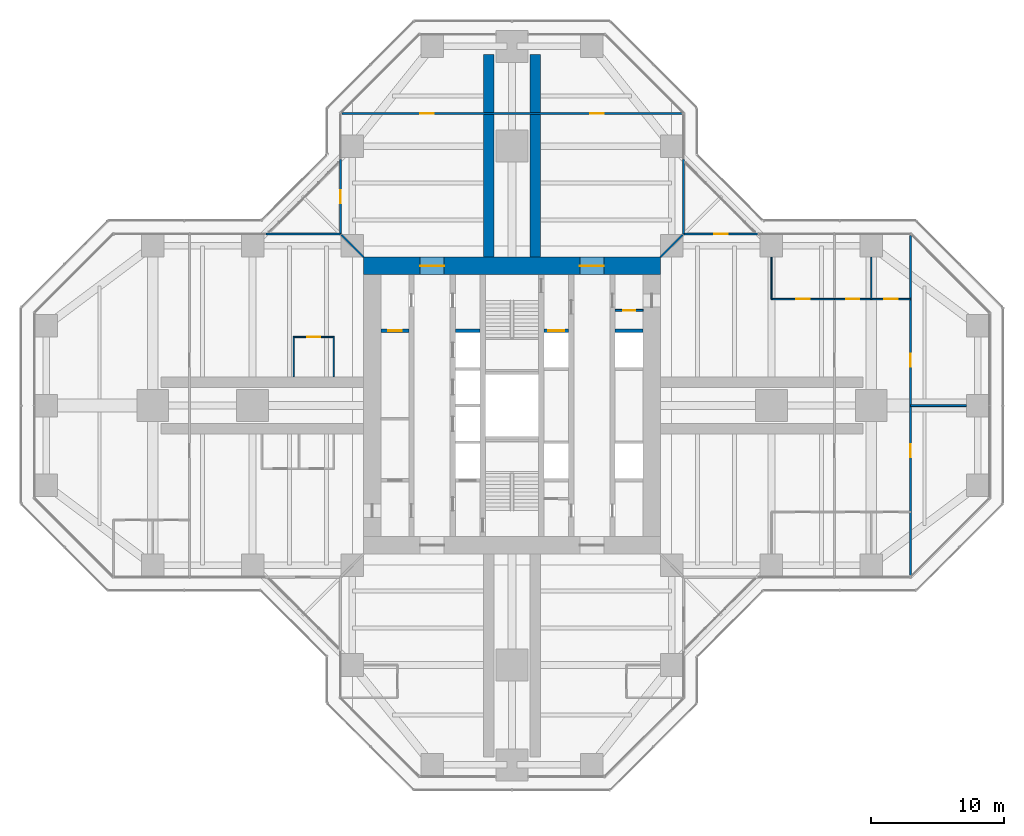
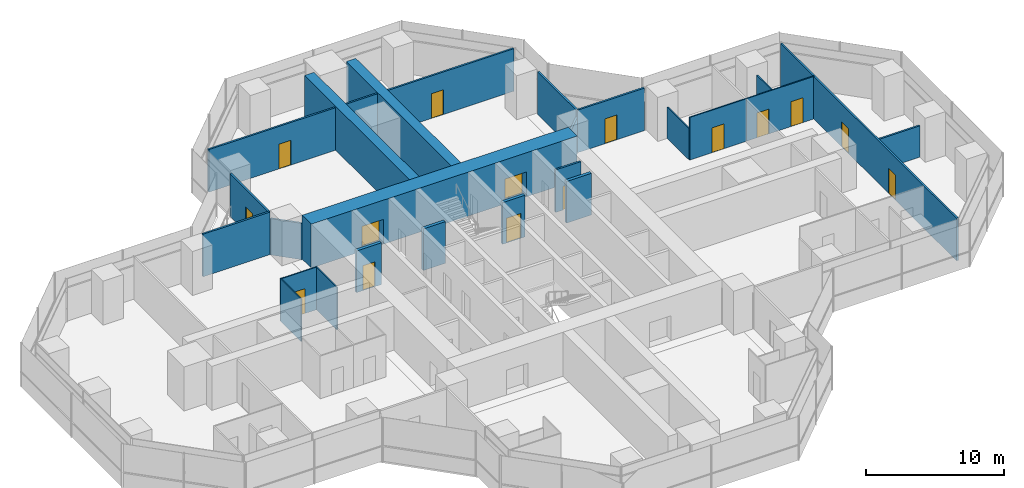
# One storey, part 17 of 20: 24 walls, 15 doors, 15 openings.
"""IFC4 building model written with IfcOpenShell, lengths in metres."""

from ifc_helpers import new_model, si_unit, direction, frame, frame_2d, origin, place, context, subcontext, project, spatial, rectangle, extrude, material, layer, layer_set, type_object, element, fill, save


model = new_model("IFC4")

# Units and contexts
model_context = context("Model", 3, precision=1e-05, world=origin(), true_north=direction((0.0, 1.0)))
body_context = subcontext(model_context, "Body", "Model", "MODEL_VIEW")
ifc_project = project(units=[si_unit("LENGTHUNIT", "METRE"), si_unit("AREAUNIT", "SQUARE_METRE"), si_unit("VOLUMEUNIT", "CUBIC_METRE"), si_unit("PLANEANGLEUNIT", "RADIAN"), si_unit("MASSUNIT", "GRAM", prefix="KILO")], contexts=[model_context])

# Site, building, storey
site_placement = place(None, origin())
site = spatial("IfcSite", under=ifc_project, at=site_placement, CompositionType="ELEMENT")
building_placement = place(site_placement, origin())
building = spatial("IfcBuilding", under=site, at=building_placement, Name="Mizan Broadcast Tower", CompositionType="ELEMENT")
storey_placement = place(building_placement, frame((0.0, 0.0, 135.89990234375)))
storey = spatial("IfcBuildingStorey", under=building, at=storey_placement, Name="L30", CompositionType="ELEMENT", Elevation=135.89990234375)

# Wall, opening, door
ifc_material_1 = material(Name="Concrete blockwork", Category="masonry")
ifc_layer_1 = layer(ifc_material_1, 0.14990234375)
ifc_layer_set_1 = layer_set([ifc_layer_1], Name="Concrete blockwork")
wall_type_1 = type_object("IfcWallType", Name="CORE PARTITION 150", PredefinedType="SOLIDWALL", material=ifc_layer_set_1)
wall_1_placement = place(storey_placement, frame((9.85009765625, 7.14990234375, 0.0), z_axis=(0.0, 0.0, 1.0), x_axis=(-1.0, 0.0, 0.0)))
wall_1 = element("IfcWall", 1, at=wall_1_placement, inside=storey, type_object=wall_type_1, Name="Core partition CORE/XPE", PredefinedType="SOLIDWALL", context=body_context, shape_type="SweptSolid", body=[
    extrude(rectangle(XDim=2.10009765625, YDim=0.14990234375, at=frame_2d((1.050048828125, 0.0))), origin(), (0.0, 0.0, 1.0), 3.77001953125),
])
opening_1_placement = place(wall_1_placement, frame((0.60009765625, 0.0, 0.0)))
opening_1 = element("IfcOpeningElement", 2, at=opening_1_placement, cuts=wall_1, Name="Opening D09F", PredefinedType="OPENING", context=body_context, shape_type="SweptSolid", body=[
    extrude(rectangle(XDim=0.89990234375, YDim=2.10009765625, at=frame_2d((0.449951171875, 1.050048828125))), frame((0.0, 0.0849609375, 0.0), z_axis=(0.0, -1.0, 0.0), x_axis=(1.0, 0.0, 0.0)), (0.0, 0.0, 1.0), 0.169921875),
])
ifc_material_2 = material(Name="Steel door leaf in steel frame", Category="steel")
door_type_1 = type_object("IfcDoorType", Name="CORE ROOM DOOR 900 FD90", OperationType="SINGLE_SWING_LEFT", PredefinedType="DOOR", material=ifc_material_2)
door_1_placement = place(opening_1_placement, origin())
door_1 = element("IfcDoor", 3, at=door_1_placement, inside=storey, type_object=door_type_1, Name="Electrical cupboard door", OperationType="SINGLE_SWING_RIGHT", OverallHeight=2.10009765625, OverallWidth=0.89990234375, PredefinedType="DOOR", context=body_context, shape_type="SweptSolid", body=[
    extrude(rectangle(XDim=0.89990234375, YDim=2.10009765625, at=frame_2d((0.449951171875, 1.050048828125))), frame((0.0, 0.02490234375, 0.0), z_axis=(0.0, -1.0, 0.0), x_axis=(1.0, 0.0, 0.0)), (0.0, 0.0, 1.0), 0.050048828125),
])
fill(opening_1, door_1)

# Wall, openings, doors
ifc_material_3 = material(Name="Concrete C70/85", Category="concrete")
ifc_layer_2 = layer(ifc_material_3, 1.300048828125)
ifc_layer_set_2 = layer_set([ifc_layer_2], Name="Concrete C70/85")
wall_type_2 = type_object("IfcWallType", Name="CORE WALL 1300", PredefinedType="SHEAR", material=ifc_layer_set_2)
wall_2_placement = place(storey_placement, frame((-11.14990234375, 10.5, 0.0), z_axis=(0.0, 0.0, 1.0), x_axis=(1.0, 0.0, 0.0)))
wall_2 = element("IfcWall", 4, at=wall_2_placement, inside=storey, type_object=wall_type_2, Name="Core wall N L30", PredefinedType="SHEAR", context=body_context, shape_type="SweptSolid", body=[
    extrude(rectangle(XDim=22.2998046875, YDim=1.300048828125, at=frame_2d((11.14990234375, 0.0))), origin(), (0.0, 0.0, 1.0), 3.900146484375),
])
opening_2_placement = place(wall_2_placement, frame((4.25, 0.0, 0.0)))
opening_2 = element("IfcOpeningElement", 5, at=opening_2_placement, cuts=wall_2, Name="Opening D18F", PredefinedType="OPENING", context=body_context, shape_type="SweptSolid", body=[
    extrude(rectangle(XDim=1.800048828125, YDim=2.199951171875, at=frame_2d((0.89990234375, 1.10009765625))), frame((0.0, 0.659912109375, 0.0), z_axis=(0.0, -1.0, 0.0), x_axis=(1.0, 0.0, 0.0)), (0.0, 0.0, 1.0), 1.320068359375),
])
opening_3_placement = place(wall_2_placement, frame((16.25, 0.0, 0.0)))
opening_3 = element("IfcOpeningElement", 6, at=opening_3_placement, cuts=wall_2, Name="Opening D18F", PredefinedType="OPENING", context=body_context, shape_type="SweptSolid", body=[
    extrude(rectangle(XDim=1.800048828125, YDim=2.199951171875, at=frame_2d((0.89990234375, 1.10009765625))), frame((0.0, 0.659912109375, 0.0), z_axis=(0.0, -1.0, 0.0), x_axis=(1.0, 0.0, 0.0)), (0.0, 0.0, 1.0), 1.320068359375),
])
ifc_material_4 = material(Name="Steel door leaf in steel frame", Category="steel")
door_type_2 = type_object("IfcDoorType", Name="LOBBY DOUBLE DOOR 1800 FD90", OperationType="DOUBLE_DOOR_DOUBLE_SWING", PredefinedType="DOOR", material=ifc_material_4)
door_2_placement = place(opening_2_placement, origin())
door_2 = element("IfcDoor", 7, at=door_2_placement, inside=storey, type_object=door_type_2, Name="West lift lobby north door", OperationType="DOUBLE_DOOR_DOUBLE_SWING", OverallHeight=2.199951171875, OverallWidth=1.800048828125, PredefinedType="DOOR", context=body_context, shape_type="SweptSolid", body=[
    extrude(rectangle(XDim=1.800048828125, YDim=2.199951171875, at=frame_2d((0.89990234375, 1.10009765625))), frame((0.0, 0.02490234375, 0.0), z_axis=(0.0, -1.0, 0.0), x_axis=(1.0, 0.0, 0.0)), (0.0, 0.0, 1.0), 0.050048828125),
])
fill(opening_2, door_2)
door_3_placement = place(opening_3_placement, origin())
door_3 = element("IfcDoor", 8, at=door_3_placement, inside=storey, type_object=door_type_2, Name="East lift lobby north door", OperationType="DOUBLE_DOOR_DOUBLE_SWING", OverallHeight=2.199951171875, OverallWidth=1.800048828125, PredefinedType="DOOR", context=body_context, shape_type="SweptSolid", body=[
    extrude(rectangle(XDim=1.800048828125, YDim=2.199951171875, at=frame_2d((0.89990234375, 1.10009765625))), frame((0.0, 0.02490234375, 0.0), z_axis=(0.0, -1.0, 0.0), x_axis=(1.0, 0.0, 0.0)), (0.0, 0.0, 1.0), 0.050048828125),
])
fill(opening_3, door_3)

# Wall, opening, door
ifc_material_5 = material(Name="Aluminium framed glazed screen", Category="aluminium")
ifc_layer_3 = layer(ifc_material_5, 0.159912109375)
ifc_layer_set_3 = layer_set([ifc_layer_3], Name="Aluminium framed glazed screen")
wall_type_3 = type_object("IfcWallType", Name="GLAZED SCREEN WALL 160", PredefinedType="SOLIDWALL", material=ifc_layer_set_3)
wall_3_placement = place(storey_placement, frame((18.5, 12.89990234375, 0.0), z_axis=(0.0, 0.0, 1.0), x_axis=(-1.0, 0.0, 0.0)))
wall_3 = element("IfcWall", 9, at=wall_3_placement, inside=storey, type_object=wall_type_3, Name="Winter garden screen L30 E", PredefinedType="SOLIDWALL", context=body_context, shape_type="SweptSolid", body=[
    extrude(rectangle(XDim=5.60009765625, YDim=0.159912109375, at=frame_2d((2.800048828125, 0.0))), origin(), (0.0, 0.0, 1.0), 3.77001953125),
])
opening_4_placement = place(wall_3_placement, frame((2.300048828125, 0.0, 0.0)))
opening_4 = element("IfcOpeningElement", 10, at=opening_4_placement, cuts=wall_3, Name="Opening WGD", PredefinedType="OPENING", context=body_context, shape_type="SweptSolid", body=[
    extrude(rectangle(XDim=1.0, YDim=2.199951171875, at=frame_2d((0.5, 1.10009765625))), frame((0.0, 0.08984375, 0.0), z_axis=(0.0, -1.0, 0.0), x_axis=(1.0, 0.0, 0.0)), (0.0, 0.0, 1.0), 0.179931640625),
])
ifc_material_6 = material(Name="Aluminium framed glazed door", Category="aluminium")
door_type_3 = type_object("IfcDoorType", Name="WINTER GARDEN DOOR 1000 GLAZED", OperationType="SINGLE_SWING_LEFT", PredefinedType="DOOR", material=ifc_material_6)
door_4_placement = place(opening_4_placement, origin())
door_4 = element("IfcDoor", 11, at=door_4_placement, inside=storey, type_object=door_type_3, Name="Winter garden door L30 E", OperationType="SINGLE_SWING_RIGHT", OverallHeight=2.199951171875, OverallWidth=1.0, PredefinedType="DOOR", context=body_context, shape_type="SweptSolid", body=[
    extrude(rectangle(XDim=1.0, YDim=2.199951171875, at=frame_2d((0.5, 1.10009765625))), frame((0.0, 0.02490234375, 0.0), z_axis=(0.0, -1.0, 0.0), x_axis=(1.0, 0.0, 0.0)), (0.0, 0.0, 1.0), 0.050048828125),
])
fill(opening_4, door_4)

# Wall
wall_4_placement = place(storey_placement, frame((12.89990234375, 12.89990234375, 0.0), z_axis=(0.0, 0.0, 1.0), x_axis=(0.0, 1.0, 0.0)))
element("IfcWall", 12, at=wall_4_placement, inside=storey, type_object=wall_type_3, Name="Winter garden screen L30 N", PredefinedType="SOLIDWALL", context=body_context, shape_type="SweptSolid", body=[
    extrude(rectangle(XDim=5.60009765625, YDim=0.159912109375, at=frame_2d((2.800048828125, 0.0))), origin(), (0.0, 0.0, 1.0), 3.77001953125),
])

# Wall, opening, door
wall_5_placement = place(storey_placement, frame((-12.89990234375, 18.5, 0.0), z_axis=(0.0, 0.0, 1.0), x_axis=(0.0, -1.0, 0.0)))
wall_5 = element("IfcWall", 13, at=wall_5_placement, inside=storey, type_object=wall_type_3, Name="Winter garden screen L30 N", PredefinedType="SOLIDWALL", context=body_context, shape_type="SweptSolid", body=[
    extrude(rectangle(XDim=5.60009765625, YDim=0.159912109375, at=frame_2d((2.800048828125, 0.0))), origin(), (0.0, 0.0, 1.0), 3.77001953125),
])
opening_5_placement = place(wall_5_placement, frame((2.300048828125, 0.0, 0.0)))
opening_5 = element("IfcOpeningElement", 14, at=opening_5_placement, cuts=wall_5, Name="Opening WGD", PredefinedType="OPENING", context=body_context, shape_type="SweptSolid", body=[
    extrude(rectangle(XDim=1.0, YDim=2.199951171875, at=frame_2d((0.5, 1.10009765625))), frame((0.0, 0.08984375, 0.0), z_axis=(0.0, -1.0, 0.0), x_axis=(1.0, 0.0, 0.0)), (0.0, 0.0, 1.0), 0.179931640625),
])
door_5_placement = place(opening_5_placement, origin())
door_5 = element("IfcDoor", 15, at=door_5_placement, inside=storey, type_object=door_type_3, Name="Winter garden door L30 N", OperationType="SINGLE_SWING_RIGHT", OverallHeight=2.199951171875, OverallWidth=1.0, PredefinedType="DOOR", context=body_context, shape_type="SweptSolid", body=[
    extrude(rectangle(XDim=1.0, YDim=2.199951171875, at=frame_2d((0.5, 1.10009765625))), frame((0.0, 0.02490234375, 0.0), z_axis=(0.0, -1.0, 0.0), x_axis=(1.0, 0.0, 0.0)), (0.0, 0.0, 1.0), 0.050048828125),
])
fill(opening_5, door_5)

# Wall
wall_6_placement = place(storey_placement, frame((-12.89990234375, 12.89990234375, 0.0), z_axis=(0.0, 0.0, 1.0), x_axis=(-1.0, 0.0, 0.0)))
element("IfcWall", 16, at=wall_6_placement, inside=storey, type_object=wall_type_3, Name="Winter garden screen L30 W", PredefinedType="SOLIDWALL", context=body_context, shape_type="SweptSolid", body=[
    extrude(rectangle(XDim=5.60009765625, YDim=0.159912109375, at=frame_2d((2.800048828125, 0.0))), origin(), (0.0, 0.0, 1.0), 3.77001953125),
])

# Wall, opening, door
ifc_material_7 = material(Name="Concrete blockwork", Category="masonry")
ifc_layer_4 = layer(ifc_material_7, 0.25)
ifc_layer_set_4 = layer_set([ifc_layer_4], Name="Concrete blockwork")
wall_type_4 = type_object("IfcWallType", Name="LOBBY ENCLOSURE WALL 250", PredefinedType="SOLIDWALL", material=ifc_layer_set_4)
wall_7_placement = place(storey_placement, frame((-9.85009765625, 5.625, 0.0), z_axis=(0.0, 0.0, 1.0), x_axis=(1.0, 0.0, 0.0)))
wall_7 = element("IfcWall", 17, at=wall_7_placement, inside=storey, type_object=wall_type_4, Name="Lobby enclosure wall CORE/BW1N", PredefinedType="SOLIDWALL", context=body_context, shape_type="SweptSolid", body=[
    extrude(rectangle(XDim=2.10009765625, YDim=0.25, at=frame_2d((1.050048828125, 0.0))), origin(), (0.0, 0.0, 1.0), 3.7001953125),
])
opening_6_placement = place(wall_7_placement, frame((0.550048828125, 0.0, 0.0)))
opening_6 = element("IfcOpeningElement", 18, at=opening_6_placement, cuts=wall_7, Name="Opening D10F", PredefinedType="OPENING", context=body_context, shape_type="SweptSolid", body=[
    extrude(rectangle(XDim=1.0, YDim=2.199951171875, at=frame_2d((0.5, 1.10009765625))), frame((0.0, 0.135009765625, 0.0), z_axis=(0.0, -1.0, 0.0), x_axis=(1.0, 0.0, 0.0)), (0.0, 0.0, 1.0), 0.27001953125),
])
ifc_material_8 = material(Name="Steel door leaf in steel frame", Category="steel")
door_type_4 = type_object("IfcDoorType", Name="FIRE DOOR 1000 FD90", OperationType="SINGLE_SWING_LEFT", PredefinedType="DOOR", material=ifc_material_8)
door_6_placement = place(opening_6_placement, origin())
door_6 = element("IfcDoor", 19, at=door_6_placement, inside=storey, type_object=door_type_4, Name="Staff changing room door", OperationType="SINGLE_SWING_RIGHT", OverallHeight=2.199951171875, OverallWidth=1.0, PredefinedType="DOOR", context=body_context, shape_type="SweptSolid", body=[
    extrude(rectangle(XDim=1.0, YDim=2.199951171875, at=frame_2d((0.5, 1.10009765625))), frame((0.0, 0.02490234375, 0.0), z_axis=(0.0, -1.0, 0.0), x_axis=(1.0, 0.0, 0.0)), (0.0, 0.0, 1.0), 0.050048828125),
])
fill(opening_6, door_6)

# Wall
wall_8_placement = place(storey_placement, frame((-4.25, 5.625, 0.0), z_axis=(0.0, 0.0, 1.0), x_axis=(1.0, 0.0, 0.0)))
element("IfcWall", 20, at=wall_8_placement, inside=storey, type_object=wall_type_4, Name="Lobby enclosure wall CORE/BW2N", PredefinedType="SOLIDWALL", context=body_context, shape_type="SweptSolid", body=[
    extrude(rectangle(XDim=1.85009765625, YDim=0.25, at=frame_2d((0.925048828125, 0.0))), origin(), (0.0, 0.0, 1.0), 3.7001953125),
])

# Wall, opening, door
wall_9_placement = place(storey_placement, frame((2.39990234375, 5.625, 0.0), z_axis=(0.0, 0.0, 1.0), x_axis=(1.0, 0.0, 0.0)))
wall_9 = element("IfcWall", 21, at=wall_9_placement, inside=storey, type_object=wall_type_4, Name="Lobby enclosure wall CORE/BE2N", PredefinedType="SOLIDWALL", context=body_context, shape_type="SweptSolid", body=[
    extrude(rectangle(XDim=1.85009765625, YDim=0.25, at=frame_2d((0.925048828125, 0.0))), origin(), (0.0, 0.0, 1.0), 3.7001953125),
])
opening_7_placement = place(wall_9_placement, frame((0.324951171875, 0.0, 0.0)))
opening_7 = element("IfcOpeningElement", 22, at=opening_7_placement, cuts=wall_9, Name="Opening LDF", PredefinedType="OPENING", context=body_context, shape_type="SweptSolid", body=[
    extrude(rectangle(XDim=1.199951171875, YDim=2.199951171875, at=frame_2d((0.60009765625, 1.10009765625))), frame((0.0, 0.135009765625, 0.0), z_axis=(0.0, -1.0, 0.0), x_axis=(1.0, 0.0, 0.0)), (0.0, 0.0, 1.0), 0.27001953125),
])
ifc_material_9 = material(Name="Steel door leaf in steel frame", Category="steel")
door_type_5 = type_object("IfcDoorType", Name="FIREFIGHTING LIFT LANDING DOOR 1200", OperationType="SLIDING_TO_LEFT", PredefinedType="DOOR", material=ifc_material_9)
door_7_placement = place(opening_7_placement, origin())
door_7 = element("IfcDoor", 23, at=door_7_placement, inside=storey, type_object=door_type_5, Name="Landing door FF2", OperationType="SLIDING_TO_LEFT", OverallHeight=2.199951171875, OverallWidth=1.199951171875, PredefinedType="DOOR", context=body_context, shape_type="SweptSolid", body=[
    extrude(rectangle(XDim=1.199951171875, YDim=2.199951171875, at=frame_2d((0.60009765625, 1.10009765625))), frame((0.0, 0.02490234375, 0.0), z_axis=(0.0, -1.0, 0.0), x_axis=(1.0, 0.0, 0.0)), (0.0, 0.0, 1.0), 0.050048828125),
])
fill(opening_7, door_7)

# Wall
wall_10_placement = place(storey_placement, frame((7.75, 5.625, 0.0), z_axis=(0.0, 0.0, 1.0), x_axis=(1.0, 0.0, 0.0)))
element("IfcWall", 24, at=wall_10_placement, inside=storey, type_object=wall_type_4, Name="Lobby enclosure wall CORE/BE1N", PredefinedType="SOLIDWALL", context=body_context, shape_type="SweptSolid", body=[
    extrude(rectangle(XDim=2.10009765625, YDim=0.25, at=frame_2d((1.050048828125, 0.0))), origin(), (0.0, 0.0, 1.0), 3.7001953125),
])

# Wall, openings, doors
ifc_material_10 = material(Name="Gypsum board on steel studs", Category="steel")
ifc_layer_5 = layer(ifc_material_10, 0.14990234375)
ifc_layer_set_5 = layer_set([ifc_layer_5], Name="Gypsum board on steel studs")
wall_type_5 = type_object("IfcWallType", Name="PARTITION 150", PredefinedType="PARTITIONING", material=ifc_layer_set_5)
wall_11_placement = place(storey_placement, frame((29.958984375, -12.786376953125, 0.0), z_axis=(0.0, 0.0, 1.0), x_axis=(0.0, 1.0, 0.0)))
wall_11 = element("IfcWall", 25, at=wall_11_placement, inside=storey, type_object=wall_type_5, Name="Partition PT/EX2", PredefinedType="PARTITIONING", context=body_context, shape_type="SweptSolid", body=[
    extrude(rectangle(XDim=25.57275390625, YDim=0.14990234375, at=frame_2d((12.786376953125, 0.0))), origin(), (0.0, 0.0, 1.0), 3.77001953125),
])
opening_8_placement = place(wall_11_placement, frame((15.6865234375, 0.0, 0.0)))
opening_8 = element("IfcOpeningElement", 26, at=opening_8_placement, cuts=wall_11, Name="Opening D10", PredefinedType="OPENING", context=body_context, shape_type="SweptSolid", body=[
    extrude(rectangle(XDim=1.0, YDim=2.199951171875, at=frame_2d((0.5, 1.10009765625))), frame((0.0, 0.0849609375, 0.0), z_axis=(0.0, -1.0, 0.0), x_axis=(1.0, 0.0, 0.0)), (0.0, 0.0, 1.0), 0.169921875),
])
opening_9_placement = place(wall_11_placement, frame((8.886474609375, 0.0, 0.0)))
opening_9 = element("IfcOpeningElement", 27, at=opening_9_placement, cuts=wall_11, Name="Opening D10", PredefinedType="OPENING", context=body_context, shape_type="SweptSolid", body=[
    extrude(rectangle(XDim=1.0, YDim=2.199951171875, at=frame_2d((0.5, 1.10009765625))), frame((0.0, 0.0849609375, 0.0), z_axis=(0.0, -1.0, 0.0), x_axis=(1.0, 0.0, 0.0)), (0.0, 0.0, 1.0), 0.169921875),
])
ifc_material_11 = material(Name="Timber door leaf in aluminium frame", Category="wood")
door_type_6 = type_object("IfcDoorType", Name="ROOM DOOR 1000", OperationType="SINGLE_SWING_LEFT", PredefinedType="DOOR", material=ifc_material_11)
door_8_placement = place(opening_8_placement, origin())
door_8 = element("IfcDoor", 28, at=door_8_placement, inside=storey, type_object=door_type_6, Name="Open office door", OperationType="SINGLE_SWING_RIGHT", OverallHeight=2.199951171875, OverallWidth=1.0, PredefinedType="DOOR", context=body_context, shape_type="SweptSolid", body=[
    extrude(rectangle(XDim=1.0, YDim=2.199951171875, at=frame_2d((0.5, 1.10009765625))), frame((0.0, 0.02490234375, 0.0), z_axis=(0.0, -1.0, 0.0), x_axis=(1.0, 0.0, 0.0)), (0.0, 0.0, 1.0), 0.050048828125),
])
fill(opening_8, door_8)
door_9_placement = place(opening_9_placement, origin())
door_9 = element("IfcDoor", 29, at=door_9_placement, inside=storey, type_object=door_type_6, Name="Open office door", OperationType="SINGLE_SWING_LEFT", OverallHeight=2.199951171875, OverallWidth=1.0, PredefinedType="DOOR", context=body_context, shape_type="SweptSolid", body=[
    extrude(rectangle(XDim=1.0, YDim=2.199951171875, at=frame_2d((0.5, 1.10009765625))), frame((0.0, 0.02490234375, 0.0), z_axis=(0.0, -1.0, 0.0), x_axis=(1.0, 0.0, 0.0)), (0.0, 0.0, 1.0), 0.050048828125),
])
fill(opening_9, door_9)

# Wall
wall_12_placement = place(storey_placement, frame((29.958984375, 0.0, 0.0), z_axis=(0.0, 0.0, 1.0), x_axis=(1.0, 0.0, 0.0)))
element("IfcWall", 30, at=wall_12_placement, inside=storey, type_object=wall_type_5, Name="Partition PT/EES", PredefinedType="PARTITIONING", context=body_context, shape_type="SweptSolid", body=[
    extrude(rectangle(XDim=4.19091796875, YDim=0.14990234375, at=frame_2d((2.095458984375, 0.0))), origin(), (0.0, 0.0, 1.0), 2.77001953125),
])

# Wall, openings, doors
wall_13_placement = place(storey_placement, frame((12.786376953125, 21.958984375, 0.0), z_axis=(0.0, 0.0, 1.0), x_axis=(-1.0, 0.0, 0.0)))
wall_13 = element("IfcWall", 31, at=wall_13_placement, inside=storey, type_object=wall_type_5, Name="Partition PT/NX1", PredefinedType="PARTITIONING", context=body_context, shape_type="SweptSolid", body=[
    extrude(rectangle(XDim=25.57275390625, YDim=0.14990234375, at=frame_2d((12.786376953125, 0.0))), origin(), (0.0, 0.0, 1.0), 3.77001953125),
])
opening_10_placement = place(wall_13_placement, frame((18.6865234375, 0.0, 0.0)))
opening_10 = element("IfcOpeningElement", 32, at=opening_10_placement, cuts=wall_13, Name="Opening D10", PredefinedType="OPENING", context=body_context, shape_type="SweptSolid", body=[
    extrude(rectangle(XDim=1.0, YDim=2.199951171875, at=frame_2d((0.5, 1.10009765625))), frame((0.0, 0.0849609375, 0.0), z_axis=(0.0, -1.0, 0.0), x_axis=(1.0, 0.0, 0.0)), (0.0, 0.0, 1.0), 0.169921875),
])
opening_11_placement = place(wall_13_placement, frame((5.886474609375, 0.0, 0.0)))
opening_11 = element("IfcOpeningElement", 33, at=opening_11_placement, cuts=wall_13, Name="Opening D10", PredefinedType="OPENING", context=body_context, shape_type="SweptSolid", body=[
    extrude(rectangle(XDim=1.0, YDim=2.199951171875, at=frame_2d((0.5, 1.10009765625))), frame((0.0, 0.0849609375, 0.0), z_axis=(0.0, -1.0, 0.0), x_axis=(1.0, 0.0, 0.0)), (0.0, 0.0, 1.0), 0.169921875),
])
door_10_placement = place(opening_10_placement, origin())
door_10 = element("IfcDoor", 34, at=door_10_placement, inside=storey, type_object=door_type_6, Name="Meeting room door", OperationType="SINGLE_SWING_RIGHT", OverallHeight=2.199951171875, OverallWidth=1.0, PredefinedType="DOOR", context=body_context, shape_type="SweptSolid", body=[
    extrude(rectangle(XDim=1.0, YDim=2.199951171875, at=frame_2d((0.5, 1.10009765625))), frame((0.0, 0.02490234375, 0.0), z_axis=(0.0, -1.0, 0.0), x_axis=(1.0, 0.0, 0.0)), (0.0, 0.0, 1.0), 0.050048828125),
])
fill(opening_10, door_10)
door_11_placement = place(opening_11_placement, origin())
door_11 = element("IfcDoor", 35, at=door_11_placement, inside=storey, type_object=door_type_6, Name="Meeting room door", OperationType="SINGLE_SWING_LEFT", OverallHeight=2.199951171875, OverallWidth=1.0, PredefinedType="DOOR", context=body_context, shape_type="SweptSolid", body=[
    extrude(rectangle(XDim=1.0, YDim=2.199951171875, at=frame_2d((0.5, 1.10009765625))), frame((0.0, 0.02490234375, 0.0), z_axis=(0.0, -1.0, 0.0), x_axis=(1.0, 0.0, 0.0)), (0.0, 0.0, 1.0), 0.050048828125),
])
fill(opening_11, door_11)

# Walls
for number, where, z_axis, x_axis, name in (
    (36, (11.14990234375, 11.14990234375, 0.0), (0.0, 0.0, 1.0), (0.707106781187, 0.707106781187, 0.0), "Partition PT/DGEN"),
    (37, (-11.14990234375, 11.14990234375, 0.0), (0.0, 0.0, 1.0), (-0.707106781187, 0.707106781187, 0.0), "Partition PT/DGWN"),
):
    element("IfcWall", number, at=place(storey_placement, frame(where, z_axis=z_axis, x_axis=x_axis)), inside=storey, type_object=wall_type_5, Name=name, PredefinedType="PARTITIONING", context=body_context, shape_type="SweptSolid", body=[
        extrude(rectangle(XDim=2.362060546875, YDim=0.14990234375, at=frame_2d((1.18115234375, 0.0))), origin(), (0.0, 0.0, 1.0), 3.22021484375),
    ])

# Wall, opening, door
ifc_material_12 = material(Name="Glazed aluminium partition on aluminium track", Category="aluminium")
ifc_layer_6 = layer(ifc_material_12, 0.10009765625)
ifc_layer_set_6 = layer_set([ifc_layer_6], Name="Glazed aluminium partition on aluminium track")
wall_type_6 = type_object("IfcWallType", Name="PARTITION GLAZED OFFICE FRONT 100", PredefinedType="PARTITIONING", material=ifc_layer_set_6)
wall_14_placement = place(storey_placement, frame((19.5, 8.0, 0.0), z_axis=(0.0, 0.0, 1.0), x_axis=(1.0, 0.0, 0.0)))
wall_14 = element("IfcWall", 38, at=wall_14_placement, inside=storey, type_object=wall_type_6, Name="Glazed office front PT/ECP0", PredefinedType="PARTITIONING", context=body_context, shape_type="SweptSolid", body=[
    extrude(rectangle(XDim=4.72900390625, YDim=0.10009765625, at=frame_2d((2.364501953125, 0.0))), origin(), (0.0, 0.0, 1.0), 3.77001953125),
])
opening_12_placement = place(wall_14_placement, frame((1.864501953125, 0.0, 0.0)))
opening_12 = element("IfcOpeningElement", 39, at=opening_12_placement, cuts=wall_14, Name="Opening D10O", PredefinedType="OPENING", context=body_context, shape_type="SweptSolid", body=[
    extrude(rectangle(XDim=1.0, YDim=2.199951171875, at=frame_2d((0.5, 1.10009765625))), frame((0.0, 0.06005859375, 0.0), z_axis=(0.0, -1.0, 0.0), x_axis=(1.0, 0.0, 0.0)), (0.0, 0.0, 1.0), 0.1201171875),
])
ifc_material_13 = material(Name="Timber door leaf in aluminium frame", Category="wood")
door_type_7 = type_object("IfcDoorType", Name="OFFICE DOOR 1000 GLAZED", OperationType="SINGLE_SWING_LEFT", PredefinedType="DOOR", material=ifc_material_13)
door_12_placement = place(opening_12_placement, origin())
door_12 = element("IfcDoor", 40, at=door_12_placement, inside=storey, type_object=door_type_7, Name="Lawyer's office door", OperationType="SINGLE_SWING_LEFT", OverallHeight=2.199951171875, OverallWidth=1.0, PredefinedType="DOOR", context=body_context, shape_type="SweptSolid", body=[
    extrude(rectangle(XDim=1.0, YDim=2.199951171875, at=frame_2d((0.5, 1.10009765625))), frame((0.0, 0.02490234375, 0.0), z_axis=(0.0, -1.0, 0.0), x_axis=(1.0, 0.0, 0.0)), (0.0, 0.0, 1.0), 0.050048828125),
])
fill(opening_12, door_12)

# Wall, openings, doors
wall_15_placement = place(storey_placement, frame((24.22900390625, 8.0, 0.0), z_axis=(0.0, 0.0, 1.0), x_axis=(1.0, 0.0, 0.0)))
wall_15 = element("IfcWall", 41, at=wall_15_placement, inside=storey, type_object=wall_type_6, Name="Glazed office front PT/ECP1", PredefinedType="PARTITIONING", context=body_context, shape_type="SweptSolid", body=[
    extrude(rectangle(XDim=5.72998046875, YDim=0.10009765625, at=frame_2d((2.864990234375, 0.0))), origin(), (0.0, 0.0, 1.0), 3.77001953125),
])
opening_13_placement = place(wall_15_placement, frame((0.885498046875, 0.0, 0.0)))
opening_13 = element("IfcOpeningElement", 42, at=opening_13_placement, cuts=wall_15, Name="Opening D10O", PredefinedType="OPENING", context=body_context, shape_type="SweptSolid", body=[
    extrude(rectangle(XDim=1.0, YDim=2.199951171875, at=frame_2d((0.5, 1.10009765625))), frame((0.0, 0.06005859375, 0.0), z_axis=(0.0, -1.0, 0.0), x_axis=(1.0, 0.0, 0.0)), (0.0, 0.0, 1.0), 0.1201171875),
])
opening_14_placement = place(wall_15_placement, frame((3.75048828125, 0.0, 0.0)))
opening_14 = element("IfcOpeningElement", 43, at=opening_14_placement, cuts=wall_15, Name="Opening D10O", PredefinedType="OPENING", context=body_context, shape_type="SweptSolid", body=[
    extrude(rectangle(XDim=1.0, YDim=2.199951171875, at=frame_2d((0.5, 1.10009765625))), frame((0.0, 0.06005859375, 0.0), z_axis=(0.0, -1.0, 0.0), x_axis=(1.0, 0.0, 0.0)), (0.0, 0.0, 1.0), 0.1201171875),
])
door_13_placement = place(opening_13_placement, origin())
door_13 = element("IfcDoor", 44, at=door_13_placement, inside=storey, type_object=door_type_7, Name="Lawyer's office door", OperationType="SINGLE_SWING_LEFT", OverallHeight=2.199951171875, OverallWidth=1.0, PredefinedType="DOOR", context=body_context, shape_type="SweptSolid", body=[
    extrude(rectangle(XDim=1.0, YDim=2.199951171875, at=frame_2d((0.5, 1.10009765625))), frame((0.0, 0.02490234375, 0.0), z_axis=(0.0, -1.0, 0.0), x_axis=(1.0, 0.0, 0.0)), (0.0, 0.0, 1.0), 0.050048828125),
])
fill(opening_13, door_13)
door_14_placement = place(opening_14_placement, origin())
door_14 = element("IfcDoor", 45, at=door_14_placement, inside=storey, type_object=door_type_7, Name="Lawyer's office door", OperationType="SINGLE_SWING_RIGHT", OverallHeight=2.199951171875, OverallWidth=1.0, PredefinedType="DOOR", context=body_context, shape_type="SweptSolid", body=[
    extrude(rectangle(XDim=1.0, YDim=2.199951171875, at=frame_2d((0.5, 1.10009765625))), frame((0.0, 0.02490234375, 0.0), z_axis=(0.0, -1.0, 0.0), x_axis=(1.0, 0.0, 0.0)), (0.0, 0.0, 1.0), 0.050048828125),
])
fill(opening_14, door_14)

# Walls
wall_16_placement = place(storey_placement, frame((19.5, 8.0, 0.0), z_axis=(0.0, 0.0, 1.0), x_axis=(0.0, 1.0, 0.0)))
element("IfcWall", 46, at=wall_16_placement, inside=storey, type_object=wall_type_6, Name="Glazed office front PT/EQP1950", PredefinedType="PARTITIONING", context=body_context, shape_type="SweptSolid", body=[
    extrude(rectangle(XDim=3.14990234375, YDim=0.10009765625, at=frame_2d((1.574951171875, 0.0))), origin(), (0.0, 0.0, 1.0), 2.77001953125),
])
wall_17_placement = place(storey_placement, frame((27.0, 8.0, 0.0), z_axis=(0.0, 0.0, 1.0), x_axis=(0.0, 1.0, 0.0)))
element("IfcWall", 47, at=wall_17_placement, inside=storey, type_object=wall_type_6, Name="Glazed office front PT/EQP2700", PredefinedType="PARTITIONING", context=body_context, shape_type="SweptSolid", body=[
    extrude(rectangle(XDim=3.14990234375, YDim=0.10009765625, at=frame_2d((1.574951171875, 0.0))), origin(), (0.0, 0.0, 1.0), 2.97021484375),
])
for number, where, z_axis, x_axis, name in (
    (48, (-13.39990234375, 2.14990234375, 0.0), (0.0, 0.0, 1.0), (0.0, 1.0, 0.0), "Glazed office front PT/WKN0a"),
    (49, (-16.39990234375, 2.14990234375, 0.0), (0.0, 0.0, 1.0), (0.0, 1.0, 0.0), "Glazed office front PT/WKN0b"),
):
    element("IfcWall", number, at=place(storey_placement, frame(where, z_axis=z_axis, x_axis=x_axis)), inside=storey, type_object=wall_type_6, Name=name, PredefinedType="PARTITIONING", context=body_context, shape_type="SweptSolid", body=[
        extrude(rectangle(XDim=3.0, YDim=0.10009765625, at=frame_2d((1.5, 0.0))), origin(), (0.0, 0.0, 1.0), 3.77001953125),
    ])

# Wall, opening, door
wall_18_placement = place(storey_placement, frame((-13.35009765625, 5.14990234375, 0.0), z_axis=(0.0, 0.0, 1.0), x_axis=(-1.0, 0.0, 0.0)))
wall_18 = element("IfcWall", 50, at=wall_18_placement, inside=storey, type_object=wall_type_6, Name="Glazed office front PT/WKN0f", PredefinedType="PARTITIONING", context=body_context, shape_type="SweptSolid", body=[
    extrude(rectangle(XDim=3.099853515625, YDim=0.10009765625, at=frame_2d((1.5498046875, 0.0))), origin(), (0.0, 0.0, 1.0), 3.77001953125),
])
opening_15_placement = place(wall_18_placement, frame((1.050048828125, 0.0, 0.0)))
opening_15 = element("IfcOpeningElement", 51, at=opening_15_placement, cuts=wall_18, Name="Opening D10O", PredefinedType="OPENING", context=body_context, shape_type="SweptSolid", body=[
    extrude(rectangle(XDim=1.0, YDim=2.199951171875, at=frame_2d((0.5, 1.10009765625))), frame((0.0, 0.06005859375, 0.0), z_axis=(0.0, -1.0, 0.0), x_axis=(1.0, 0.0, 0.0)), (0.0, 0.0, 1.0), 0.1201171875),
])
door_15_placement = place(opening_15_placement, origin())
door_15 = element("IfcDoor", 52, at=door_15_placement, inside=storey, type_object=door_type_7, Name="Pantry door", OperationType="SINGLE_SWING_LEFT", OverallHeight=2.199951171875, OverallWidth=1.0, PredefinedType="DOOR", context=body_context, shape_type="SweptSolid", body=[
    extrude(rectangle(XDim=1.0, YDim=2.199951171875, at=frame_2d((0.5, 1.10009765625))), frame((0.0, 0.02490234375, 0.0), z_axis=(0.0, -1.0, 0.0), x_axis=(1.0, 0.0, 0.0)), (0.0, 0.0, 1.0), 0.050048828125),
])
fill(opening_15, door_15)

# Walls
ifc_material_14 = material(Name="Concrete C70/85", Category="concrete")
ifc_layer_7 = layer(ifc_material_14, 0.800048828125)
ifc_layer_set_7 = layer_set([ifc_layer_7], Name="Concrete C70/85")
wall_type_7 = type_object("IfcWallType", Name="SPINE WALL 800", PredefinedType="SHEAR", material=ifc_layer_set_7)
for number, where, z_axis, x_axis, name in (
    (53, (1.75, 11.14990234375, 0.0), (0.0, 0.0, 1.0), (0.0, 1.0, 0.0), "Spine wall NR L30"),
    (54, (-1.75, 11.14990234375, 0.0), (0.0, 0.0, 1.0), (0.0, 1.0, 0.0), "Spine wall NL L30"),
):
    element("IfcWall", number, at=place(storey_placement, frame(where, z_axis=z_axis, x_axis=x_axis)), inside=storey, type_object=wall_type_7, Name=name, PredefinedType="SHEAR", context=body_context, shape_type="SweptSolid", body=[
        extrude(rectangle(XDim=15.25, YDim=0.800048828125, at=frame_2d((7.625, 0.0))), origin(), (0.0, 0.0, 1.0), 3.900146484375),
    ])

save(model, "model.ifc")
